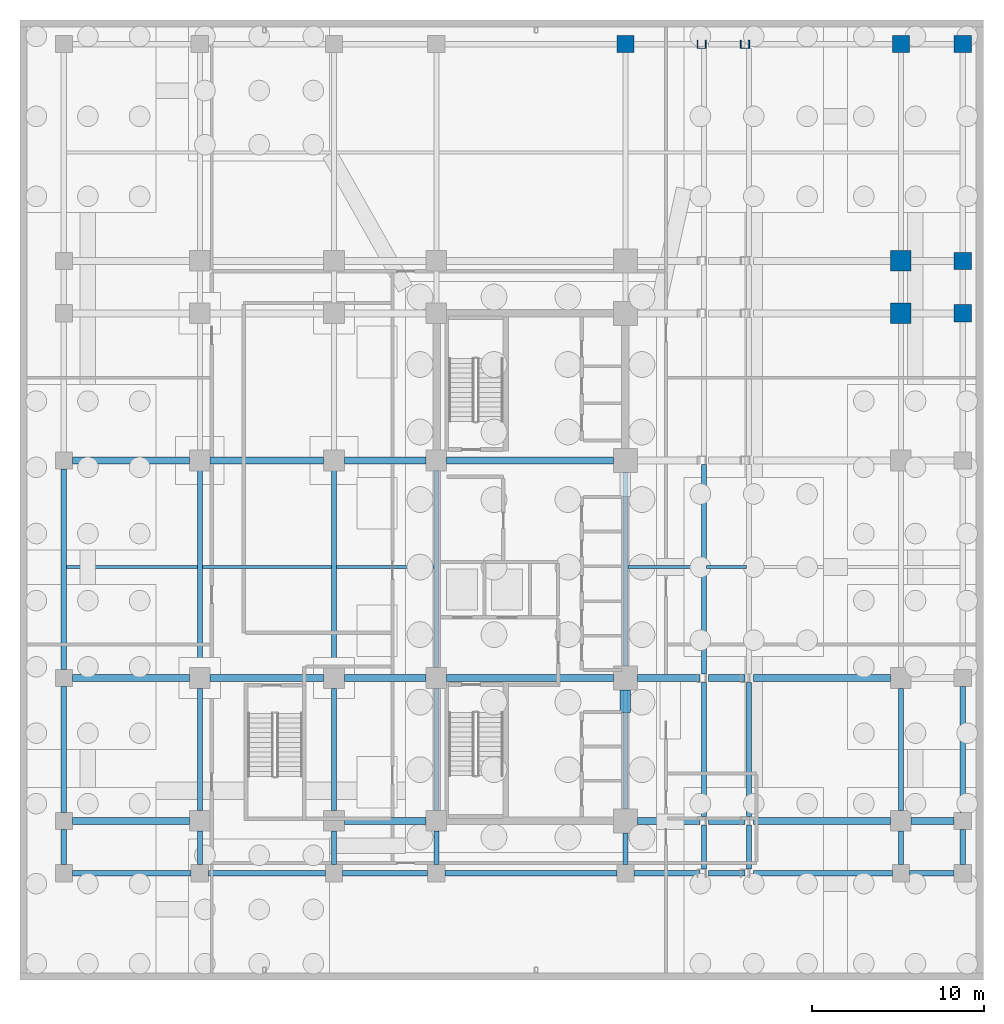
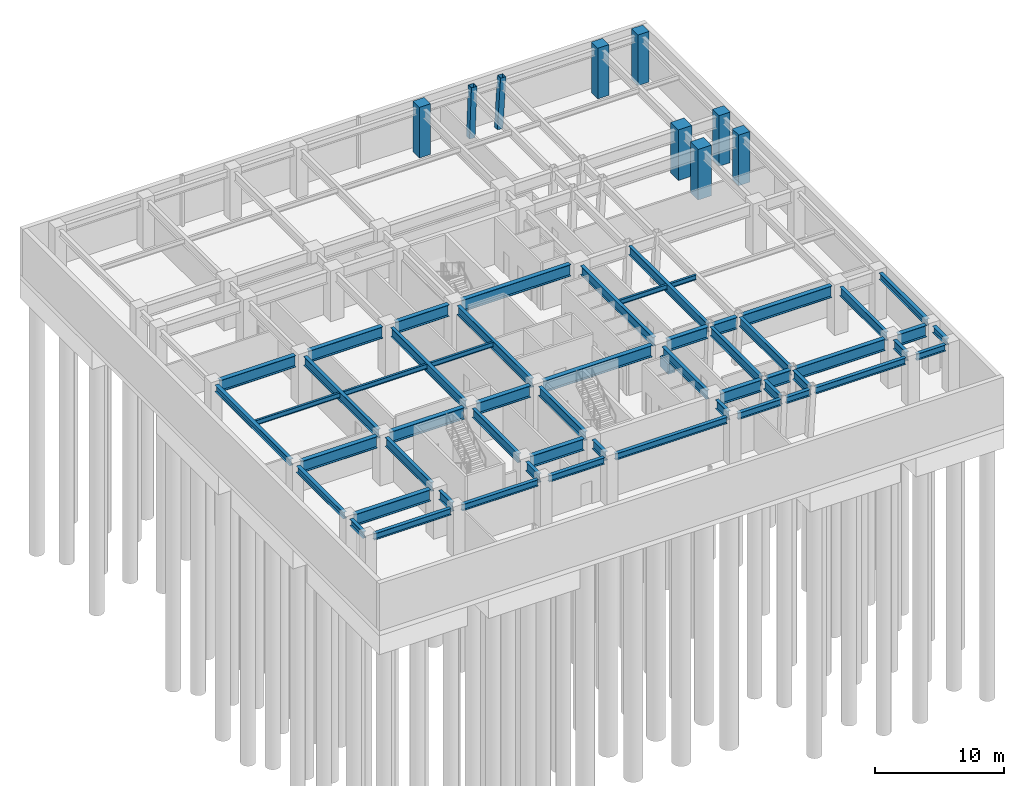
# One storey, part 7 of 13: 55 beams, 9 columns.
"""IFC4 building model written with IfcOpenShell, lengths in metres."""

from ifc_helpers import new_model, si_unit, direction, frame, origin, origin_2d, place, context, subcontext, project, spatial, rectangle, hollow_rectangle, i_section, extrude, material, material_profile, profile_set, type_object, element, save


model = new_model("IFC4")

# Units and contexts
model_context = context("Model", 3, precision=1e-05, world=origin(), true_north=direction((0.0, 1.0)))
body_context = subcontext(model_context, "Body", "Model", "MODEL_VIEW")
ifc_project = project(units=[si_unit("LENGTHUNIT", "METRE"), si_unit("AREAUNIT", "SQUARE_METRE"), si_unit("VOLUMEUNIT", "CUBIC_METRE"), si_unit("PLANEANGLEUNIT", "RADIAN"), si_unit("MASSUNIT", "GRAM", prefix="KILO")], contexts=[model_context])

# Site, building, storey
site_placement = place(None, origin())
site = spatial("IfcSite", under=ifc_project, at=site_placement, CompositionType="ELEMENT")
building_placement = place(site_placement, origin())
building = spatial("IfcBuilding", under=site, at=building_placement, Name="Ochreholt Gables", CompositionType="ELEMENT")
storey_placement = place(building_placement, frame((0.0, 0.0, -9.60009765625)))
storey = spatial("IfcBuildingStorey", under=building, at=storey_placement, Name="B2", CompositionType="ELEMENT", Elevation=-9.60009765625)

# Columns
ifc_material_1 = material(Name="Steel CSA G40.21 350W", Category="steel")
ifc_material_profile_1 = material_profile(ifc_material_1, hollow_rectangle(XDim=0.5, YDim=0.5, WallThickness=0.02197265625, at=origin_2d()), Name="HSS500X500X22")
ifc_profile_set_1 = profile_set([ifc_material_profile_1], Name="Steel CSA G40.21 350W")
column_type_1 = type_object("IfcColumnType", Name="COL-HSS500-RAKE", PredefinedType="COLUMN", material=ifc_profile_set_1)
column_1_placement = place(storey_placement, frame((39.60009765625, 54.39990234375, 0.0), z_axis=(0.034971728386, 0.0, 0.99938830202), x_axis=(0.0, 1.0, 0.0)))
element("IfcColumn", 1, at=column_1_placement, inside=storey, type_object=column_type_1, Name="B2 Column EMY7", PredefinedType="COLUMN", context=body_context, shape_type="SweptSolid", body=[
    extrude(hollow_rectangle(XDim=0.5, YDim=0.5, WallThickness=0.02197265625, at=origin_2d()), origin(), (0.0, 0.0, 1.0), 4.802978515625),
])
column_2_placement = place(storey_placement, frame((42.10009765625, 54.39990234375, 0.0), z_axis=(0.057885584411, 0.0, 0.998323223769), x_axis=(0.0, 1.0, 0.0)))
element("IfcColumn", 2, at=column_2_placement, inside=storey, type_object=column_type_1, Name="B2 Column EEY7", PredefinedType="COLUMN", context=body_context, shape_type="SweptSolid", body=[
    extrude(hollow_rectangle(XDim=0.5, YDim=0.5, WallThickness=0.02197265625, at=origin_2d()), origin(), (0.0, 0.0, 1.0), 4.80810546875),
])
ifc_material_2 = material(Name="Concrete 60 MPa", Category="concrete")
ifc_material_profile_2 = material_profile(ifc_material_2, rectangle(XDim=1.0, YDim=1.0, at=origin_2d()), Name="RC1000X1000")
ifc_profile_set_2 = profile_set([ifc_material_profile_2], Name="Concrete 60 MPa")
column_type_2 = type_object("IfcColumnType", Name="COL-RC1000-EXT", PredefinedType="COLUMN", material=ifc_profile_set_2)
for number, where, z_axis, x_axis, name in (
    (3, (35.199951171875, 54.39990234375, 0.0), (0.0, 0.0, 1.0), (1.0, 0.0, 0.0), "B2 Column C2Y7"),
    (4, (51.199951171875, 54.39990234375, 0.0), (0.0, 0.0, 1.0), (1.0, 0.0, 0.0), "B2 Column E3Y7"),
    (5, (54.800048828125, 38.75, 0.0), (0.0, 0.0, 1.0), (1.0, 0.0, 0.0), "B2 Column E4Y5"),
    (6, (54.800048828125, 41.800048828125, 0.0), (0.0, 0.0, 1.0), (1.0, 0.0, 0.0), "B2 Column E4Y6"),
    (7, (54.800048828125, 54.39990234375, 0.0), (0.0, 0.0, 1.0), (1.0, 0.0, 0.0), "B2 Column E4Y7"),
):
    element("IfcColumn", number, at=place(storey_placement, frame(where, z_axis=z_axis, x_axis=x_axis)), inside=storey, type_object=column_type_2, Name=name, PredefinedType="COLUMN", context=body_context, shape_type="SweptSolid", body=[
        extrude(rectangle(XDim=1.0, YDim=1.0, at=origin_2d()), origin(), (0.0, 0.0, 1.0), 4.800048828125),
    ])
ifc_material_profile_3 = material_profile(ifc_material_2, rectangle(XDim=1.199951171875, YDim=1.199951171875, at=origin_2d()), Name="RC1200X1200")
ifc_profile_set_3 = profile_set([ifc_material_profile_3], Name="Concrete 60 MPa")
column_type_3 = type_object("IfcColumnType", Name="COL-RC1200-BASE", PredefinedType="COLUMN", material=ifc_profile_set_3)
for number, where, z_axis, x_axis, name in (
    (8, (51.199951171875, 38.75, 0.0), (0.0, 0.0, 1.0), (1.0, 0.0, 0.0), "B2 Column E3Y5"),
    (9, (51.199951171875, 41.800048828125, 0.0), (0.0, 0.0, 1.0), (1.0, 0.0, 0.0), "B2 Column E3Y6"),
):
    element("IfcColumn", number, at=place(storey_placement, frame(where, z_axis=z_axis, x_axis=x_axis)), inside=storey, type_object=column_type_3, Name=name, PredefinedType="COLUMN", context=body_context, shape_type="SweptSolid", body=[
        extrude(rectangle(XDim=1.199951171875, YDim=1.199951171875, at=origin_2d()), origin(), (0.0, 0.0, 1.0), 4.800048828125),
    ])

# Beams
ifc_material_profile_4 = material_profile(ifc_material_2, rectangle(XDim=0.60009765625, YDim=0.949951171875, at=origin_2d()), Name="RCB600X950")
ifc_profile_set_4 = profile_set([ifc_material_profile_4], Name="Concrete 60 MPa")
beam_type_1 = type_object("IfcBeamType", Name="BM-CPL-RC600", PredefinedType="LINTEL", material=ifc_profile_set_4)
beam_1_placement = place(storey_placement, frame((35.175048828125, 15.550048828125, 3.154052734375), z_axis=(0.0, 1.0, 0.0), x_axis=(-1.0, 0.0, 0.0)))
element("IfcBeam", 10, at=beam_1_placement, inside=storey, type_object=beam_type_1, Name="B2 Core Coupling Lintel CPS", PredefinedType="LINTEL", context=body_context, shape_type="SweptSolid", body=[
    extrude(rectangle(XDim=0.60009765625, YDim=0.949951171875, at=origin_2d()), origin(), (0.0, 0.0, 1.0), 1.300048828125),
])
ifc_material_profile_5 = material_profile(ifc_material_1, i_section(OverallWidth=0.39990234375, OverallDepth=1.10009765625, WebThickness=0.02001953125, FlangeThickness=0.035888671875, at=origin_2d()), Name="W1100X390")
ifc_profile_set_5 = profile_set([ifc_material_profile_5], Name="Steel CSA G40.21 350W")
beam_type_2 = type_object("IfcBeamType", Name="BM-G-W1100", PredefinedType="BEAM", material=ifc_profile_set_5)
beam_2_placement = place(storey_placement, frame((3.049560546875, 9.25, 3.93017578125), z_axis=(1.0, 0.0, 0.0), x_axis=(0.0, 1.0, 0.0)))
element("IfcBeam", 11, at=beam_2_placement, inside=storey, type_object=beam_type_2, Name="B2 Beam BG-B2-W1W2-Y2", PredefinedType="BEAM", context=body_context, shape_type="SweptSolid", body=[
    extrude(i_section(OverallWidth=0.39990234375, OverallDepth=1.10009765625, WebThickness=0.02001953125, FlangeThickness=0.035888671875, at=origin_2d()), origin(), (0.0, 0.0, 1.0), 6.80078125),
])
beam_3_placement = place(storey_placement, frame((18.849609375, 9.25, 3.93017578125), z_axis=(1.0, 0.0, 0.0), x_axis=(0.0, 1.0, 0.0)))
element("IfcBeam", 12, at=beam_3_placement, inside=storey, type_object=beam_type_2, Name="B2 Beam BG-B2-W3C1-Y2", PredefinedType="BEAM", context=body_context, shape_type="SweptSolid", body=[
    extrude(i_section(OverallWidth=0.39990234375, OverallDepth=1.10009765625, WebThickness=0.02001953125, FlangeThickness=0.035888671875, at=origin_2d()), origin(), (0.0, 0.0, 1.0), 4.750732421875),
])
beam_4_placement = place(storey_placement, frame((35.899658203125, 9.25, 3.93017578125), z_axis=(1.0, 0.0, 0.0), x_axis=(0.0, 1.0, 0.0)))
element("IfcBeam", 13, at=beam_4_placement, inside=storey, type_object=beam_type_2, Name="B2 Beam BG-B2-C2EM-Y2", PredefinedType="BEAM", context=body_context, shape_type="SweptSolid", body=[
    extrude(i_section(OverallWidth=0.39990234375, OverallDepth=1.10009765625, WebThickness=0.02001953125, FlangeThickness=0.035888671875, at=origin_2d()), origin(), (0.0, 0.0, 1.0), 3.61865234375),
])
beam_5_placement = place(storey_placement, frame((40.017578125, 9.25, 3.93017578125), z_axis=(1.0, 0.0, 0.0), x_axis=(0.0, 1.0, 0.0)))
element("IfcBeam", 14, at=beam_5_placement, inside=storey, type_object=beam_type_2, Name="B2 Beam BG-B2-EMEE-Y2", PredefinedType="BEAM", context=body_context, shape_type="SweptSolid", body=[
    extrude(i_section(OverallWidth=0.39990234375, OverallDepth=1.10009765625, WebThickness=0.02001953125, FlangeThickness=0.035888671875, at=origin_2d()), origin(), (0.0, 0.0, 1.0), 2.111328125),
])
beam_6_placement = place(storey_placement, frame((42.6279296875, 9.25, 3.93017578125), z_axis=(1.0, 0.0, 0.0), x_axis=(0.0, 1.0, 0.0)))
element("IfcBeam", 15, at=beam_6_placement, inside=storey, type_object=beam_type_2, Name="B2 Beam BG-B2-EEE3-Y2", PredefinedType="BEAM", context=body_context, shape_type="SweptSolid", body=[
    extrude(i_section(OverallWidth=0.39990234375, OverallDepth=1.10009765625, WebThickness=0.02001953125, FlangeThickness=0.035888671875, at=origin_2d()), origin(), (0.0, 0.0, 1.0), 7.972412109375),
])
beam_7_placement = place(storey_placement, frame((51.799560546875, 9.25, 3.93017578125), z_axis=(1.0, 0.0, 0.0), x_axis=(0.0, 1.0, 0.0)))
element("IfcBeam", 16, at=beam_7_placement, inside=storey, type_object=beam_type_2, Name="B2 Beam BG-B2-E3E4-Y2", PredefinedType="BEAM", context=body_context, shape_type="SweptSolid", body=[
    extrude(i_section(OverallWidth=0.39990234375, OverallDepth=1.10009765625, WebThickness=0.02001953125, FlangeThickness=0.035888671875, at=origin_2d()), origin(), (0.0, 0.0, 1.0), 2.500732421875),
])
beam_8_placement = place(storey_placement, frame((3.049560546875, 17.550048828125, 3.93017578125), z_axis=(1.0, 0.0, 0.0), x_axis=(0.0, 1.0, 0.0)))
element("IfcBeam", 17, at=beam_8_placement, inside=storey, type_object=beam_type_2, Name="B2 Beam BG-B2-W1W2-Y3", PredefinedType="BEAM", context=body_context, shape_type="SweptSolid", body=[
    extrude(i_section(OverallWidth=0.39990234375, OverallDepth=1.10009765625, WebThickness=0.02001953125, FlangeThickness=0.035888671875, at=origin_2d()), origin(), (0.0, 0.0, 1.0), 6.80078125),
])
beam_9_placement = place(storey_placement, frame((11.049560546875, 17.550048828125, 3.93017578125), z_axis=(1.0, 0.0, 0.0), x_axis=(0.0, 1.0, 0.0)))
element("IfcBeam", 18, at=beam_9_placement, inside=storey, type_object=beam_type_2, Name="B2 Beam BG-B2-W2W3-Y3", PredefinedType="BEAM", context=body_context, shape_type="SweptSolid", body=[
    extrude(i_section(OverallWidth=0.39990234375, OverallDepth=1.10009765625, WebThickness=0.02001953125, FlangeThickness=0.035888671875, at=origin_2d()), origin(), (0.0, 0.0, 1.0), 6.600830078125),
])
beam_10_placement = place(storey_placement, frame((18.849609375, 17.550048828125, 3.93017578125), z_axis=(1.0, 0.0, 0.0), x_axis=(0.0, 1.0, 0.0)))
element("IfcBeam", 19, at=beam_10_placement, inside=storey, type_object=beam_type_2, Name="B2 Beam BG-B2-W3C1-Y3", PredefinedType="BEAM", context=body_context, shape_type="SweptSolid", body=[
    extrude(i_section(OverallWidth=0.39990234375, OverallDepth=1.10009765625, WebThickness=0.02001953125, FlangeThickness=0.035888671875, at=origin_2d()), origin(), (0.0, 0.0, 1.0), 4.750732421875),
])
beam_11_placement = place(storey_placement, frame((24.799560546875, 17.550048828125, 3.93017578125), z_axis=(1.0, 0.0, 0.0), x_axis=(0.0, 1.0, 0.0)))
element("IfcBeam", 20, at=beam_11_placement, inside=storey, type_object=beam_type_2, Name="B2 Beam BG-B2-C1C2-Y3", PredefinedType="BEAM", context=body_context, shape_type="SweptSolid", body=[
    extrude(i_section(OverallWidth=0.39990234375, OverallDepth=1.10009765625, WebThickness=0.02001953125, FlangeThickness=0.035888671875, at=origin_2d()), origin(), (0.0, 0.0, 1.0), 9.700927734375),
])
beam_12_placement = place(storey_placement, frame((35.899658203125, 17.550048828125, 3.93017578125), z_axis=(1.0, 0.0, 0.0), x_axis=(0.0, 1.0, 0.0)))
element("IfcBeam", 21, at=beam_12_placement, inside=storey, type_object=beam_type_2, Name="B2 Beam BG-B2-C2EM-Y3", PredefinedType="BEAM", context=body_context, shape_type="SweptSolid", body=[
    extrude(i_section(OverallWidth=0.39990234375, OverallDepth=1.10009765625, WebThickness=0.02001953125, FlangeThickness=0.035888671875, at=origin_2d()), origin(), (0.0, 0.0, 1.0), 3.61865234375),
])
beam_13_placement = place(storey_placement, frame((40.017578125, 17.550048828125, 3.93017578125), z_axis=(1.0, 0.0, 0.0), x_axis=(0.0, 1.0, 0.0)))
element("IfcBeam", 22, at=beam_13_placement, inside=storey, type_object=beam_type_2, Name="B2 Beam BG-B2-EMEE-Y3", PredefinedType="BEAM", context=body_context, shape_type="SweptSolid", body=[
    extrude(i_section(OverallWidth=0.39990234375, OverallDepth=1.10009765625, WebThickness=0.02001953125, FlangeThickness=0.035888671875, at=origin_2d()), origin(), (0.0, 0.0, 1.0), 2.111328125),
])
beam_14_placement = place(storey_placement, frame((42.6279296875, 17.550048828125, 3.93017578125), z_axis=(1.0, 0.0, 0.0), x_axis=(0.0, 1.0, 0.0)))
element("IfcBeam", 23, at=beam_14_placement, inside=storey, type_object=beam_type_2, Name="B2 Beam BG-B2-EEE3-Y3", PredefinedType="BEAM", context=body_context, shape_type="SweptSolid", body=[
    extrude(i_section(OverallWidth=0.39990234375, OverallDepth=1.10009765625, WebThickness=0.02001953125, FlangeThickness=0.035888671875, at=origin_2d()), origin(), (0.0, 0.0, 1.0), 7.972412109375),
])
beam_15_placement = place(storey_placement, frame((3.049560546875, 30.199951171875, 3.93017578125), z_axis=(1.0, 0.0, 0.0), x_axis=(0.0, 1.0, 0.0)))
element("IfcBeam", 24, at=beam_15_placement, inside=storey, type_object=beam_type_2, Name="B2 Beam BG-B2-W1W2-Y4", PredefinedType="BEAM", context=body_context, shape_type="SweptSolid", body=[
    extrude(i_section(OverallWidth=0.39990234375, OverallDepth=1.10009765625, WebThickness=0.02001953125, FlangeThickness=0.035888671875, at=origin_2d()), origin(), (0.0, 0.0, 1.0), 6.80078125),
])
beam_16_placement = place(storey_placement, frame((11.049560546875, 30.199951171875, 3.93017578125), z_axis=(1.0, 0.0, 0.0), x_axis=(0.0, 1.0, 0.0)))
element("IfcBeam", 25, at=beam_16_placement, inside=storey, type_object=beam_type_2, Name="B2 Beam BG-B2-W2W3-Y4", PredefinedType="BEAM", context=body_context, shape_type="SweptSolid", body=[
    extrude(i_section(OverallWidth=0.39990234375, OverallDepth=1.10009765625, WebThickness=0.02001953125, FlangeThickness=0.035888671875, at=origin_2d()), origin(), (0.0, 0.0, 1.0), 6.600830078125),
])
beam_17_placement = place(storey_placement, frame((18.849609375, 30.199951171875, 3.93017578125), z_axis=(1.0, 0.0, 0.0), x_axis=(0.0, 1.0, 0.0)))
element("IfcBeam", 26, at=beam_17_placement, inside=storey, type_object=beam_type_2, Name="B2 Beam BG-B2-W3C1-Y4", PredefinedType="BEAM", context=body_context, shape_type="SweptSolid", body=[
    extrude(i_section(OverallWidth=0.39990234375, OverallDepth=1.10009765625, WebThickness=0.02001953125, FlangeThickness=0.035888671875, at=origin_2d()), origin(), (0.0, 0.0, 1.0), 4.750732421875),
])
beam_18_placement = place(storey_placement, frame((24.799560546875, 30.199951171875, 3.93017578125), z_axis=(1.0, 0.0, 0.0), x_axis=(0.0, 1.0, 0.0)))
element("IfcBeam", 27, at=beam_18_placement, inside=storey, type_object=beam_type_2, Name="B2 Beam BG-B2-C1C2-Y4", PredefinedType="BEAM", context=body_context, shape_type="SweptSolid", body=[
    extrude(i_section(OverallWidth=0.39990234375, OverallDepth=1.10009765625, WebThickness=0.02001953125, FlangeThickness=0.035888671875, at=origin_2d()), origin(), (0.0, 0.0, 1.0), 9.700927734375),
])
ifc_material_profile_6 = material_profile(ifc_material_1, i_section(OverallWidth=0.2939453125, OverallDepth=0.85107421875, WebThickness=0.01611328125, FlangeThickness=0.02685546875, at=origin_2d()), Name="W840X226")
ifc_profile_set_6 = profile_set([ifc_material_profile_6], Name="Steel CSA G40.21 350W")
beam_type_3 = type_object("IfcBeamType", Name="BM-G-W840", PredefinedType="BEAM", material=ifc_profile_set_6)
beam_19_placement = place(storey_placement, frame((10.449951171875, 6.69970703125, 4.0546875), z_axis=(0.0, 1.0, 0.0), x_axis=(-1.0, 0.0, 0.0)))
element("IfcBeam", 28, at=beam_19_placement, inside=storey, type_object=beam_type_3, Name="B2 Beam BG-B2-W2-Y1Y2", PredefinedType="BEAM", context=body_context, shape_type="SweptSolid", body=[
    extrude(i_section(OverallWidth=0.2939453125, OverallDepth=0.85107421875, WebThickness=0.01611328125, FlangeThickness=0.02685546875, at=origin_2d()), origin(), (0.0, 0.0, 1.0), 1.95068359375),
])
beam_20_placement = place(storey_placement, frame((10.449951171875, 9.849609375, 4.0546875), z_axis=(0.0, 1.0, 0.0), x_axis=(-1.0, 0.0, 0.0)))
element("IfcBeam", 29, at=beam_20_placement, inside=storey, type_object=beam_type_3, Name="B2 Beam BG-B2-W2-Y2Y3", PredefinedType="BEAM", context=body_context, shape_type="SweptSolid", body=[
    extrude(i_section(OverallWidth=0.2939453125, OverallDepth=0.85107421875, WebThickness=0.01611328125, FlangeThickness=0.02685546875, at=origin_2d()), origin(), (0.0, 0.0, 1.0), 7.100830078125),
])
beam_21_placement = place(storey_placement, frame((10.449951171875, 18.149658203125, 4.0546875), z_axis=(0.0, 1.0, 0.0), x_axis=(-1.0, 0.0, 0.0)))
element("IfcBeam", 30, at=beam_21_placement, inside=storey, type_object=beam_type_3, Name="B2 Beam BG-B2-W2-Y3Y4", PredefinedType="BEAM", context=body_context, shape_type="SweptSolid", body=[
    extrude(i_section(OverallWidth=0.2939453125, OverallDepth=0.85107421875, WebThickness=0.01611328125, FlangeThickness=0.02685546875, at=origin_2d()), origin(), (0.0, 0.0, 1.0), 11.45068359375),
])
beam_22_placement = place(storey_placement, frame((18.25, 6.69970703125, 4.0546875), z_axis=(0.0, 1.0, 0.0), x_axis=(-1.0, 0.0, 0.0)))
element("IfcBeam", 31, at=beam_22_placement, inside=storey, type_object=beam_type_3, Name="B2 Beam BG-B2-W3-Y1Y2", PredefinedType="BEAM", context=body_context, shape_type="SweptSolid", body=[
    extrude(i_section(OverallWidth=0.2939453125, OverallDepth=0.85107421875, WebThickness=0.01611328125, FlangeThickness=0.02685546875, at=origin_2d()), origin(), (0.0, 0.0, 1.0), 1.95068359375),
])
beam_23_placement = place(storey_placement, frame((18.25, 9.849609375, 4.0546875), z_axis=(0.0, 1.0, 0.0), x_axis=(-1.0, 0.0, 0.0)))
element("IfcBeam", 32, at=beam_23_placement, inside=storey, type_object=beam_type_3, Name="B2 Beam BG-B2-W3-Y2Y3", PredefinedType="BEAM", context=body_context, shape_type="SweptSolid", body=[
    extrude(i_section(OverallWidth=0.2939453125, OverallDepth=0.85107421875, WebThickness=0.01611328125, FlangeThickness=0.02685546875, at=origin_2d()), origin(), (0.0, 0.0, 1.0), 7.100830078125),
])
beam_24_placement = place(storey_placement, frame((18.25, 18.149658203125, 4.0546875), z_axis=(0.0, 1.0, 0.0), x_axis=(-1.0, 0.0, 0.0)))
element("IfcBeam", 33, at=beam_24_placement, inside=storey, type_object=beam_type_3, Name="B2 Beam BG-B2-W3-Y3Y4", PredefinedType="BEAM", context=body_context, shape_type="SweptSolid", body=[
    extrude(i_section(OverallWidth=0.2939453125, OverallDepth=0.85107421875, WebThickness=0.01611328125, FlangeThickness=0.02685546875, at=origin_2d()), origin(), (0.0, 0.0, 1.0), 11.45068359375),
])
beam_25_placement = place(storey_placement, frame((24.199951171875, 6.69970703125, 4.0546875), z_axis=(0.0, 1.0, 0.0), x_axis=(-1.0, 0.0, 0.0)))
element("IfcBeam", 34, at=beam_25_placement, inside=storey, type_object=beam_type_3, Name="B2 Beam BG-B2-C1-Y1Y2", PredefinedType="BEAM", context=body_context, shape_type="SweptSolid", body=[
    extrude(i_section(OverallWidth=0.2939453125, OverallDepth=0.85107421875, WebThickness=0.01611328125, FlangeThickness=0.02685546875, at=origin_2d()), origin(), (0.0, 0.0, 1.0), 1.95068359375),
])
beam_26_placement = place(storey_placement, frame((24.199951171875, 9.849609375, 4.0546875), z_axis=(0.0, 1.0, 0.0), x_axis=(-1.0, 0.0, 0.0)))
element("IfcBeam", 35, at=beam_26_placement, inside=storey, type_object=beam_type_3, Name="B2 Beam BG-B2-C1-Y2Y3", PredefinedType="BEAM", context=body_context, shape_type="SweptSolid", body=[
    extrude(i_section(OverallWidth=0.2939453125, OverallDepth=0.85107421875, WebThickness=0.01611328125, FlangeThickness=0.02685546875, at=origin_2d()), origin(), (0.0, 0.0, 1.0), 7.100830078125),
])
beam_27_placement = place(storey_placement, frame((24.199951171875, 18.149658203125, 4.0546875), z_axis=(0.0, 1.0, 0.0), x_axis=(-1.0, 0.0, 0.0)))
element("IfcBeam", 36, at=beam_27_placement, inside=storey, type_object=beam_type_3, Name="B2 Beam BG-B2-C1-Y3Y4", PredefinedType="BEAM", context=body_context, shape_type="SweptSolid", body=[
    extrude(i_section(OverallWidth=0.2939453125, OverallDepth=0.85107421875, WebThickness=0.01611328125, FlangeThickness=0.02685546875, at=origin_2d()), origin(), (0.0, 0.0, 1.0), 11.45068359375),
])
beam_28_placement = place(storey_placement, frame((35.199951171875, 6.69970703125, 4.0546875), z_axis=(0.0, 1.0, 0.0), x_axis=(-1.0, 0.0, 0.0)))
element("IfcBeam", 37, at=beam_28_placement, inside=storey, type_object=beam_type_3, Name="B2 Beam BG-B2-C2-Y1Y2", PredefinedType="BEAM", context=body_context, shape_type="SweptSolid", body=[
    extrude(i_section(OverallWidth=0.2939453125, OverallDepth=0.85107421875, WebThickness=0.01611328125, FlangeThickness=0.02685546875, at=origin_2d()), origin(), (0.0, 0.0, 1.0), 1.8505859375),
])
beam_29_placement = place(storey_placement, frame((35.199951171875, 9.94970703125, 4.0546875), z_axis=(0.0, 1.0, 0.0), x_axis=(-1.0, 0.0, 0.0)))
element("IfcBeam", 38, at=beam_29_placement, inside=storey, type_object=beam_type_3, Name="B2 Beam BG-B2-C2-Y2Y3", PredefinedType="BEAM", context=body_context, shape_type="SweptSolid", body=[
    extrude(i_section(OverallWidth=0.2939453125, OverallDepth=0.85107421875, WebThickness=0.01611328125, FlangeThickness=0.02685546875, at=origin_2d()), origin(), (0.0, 0.0, 1.0), 6.900634765625),
])
beam_30_placement = place(storey_placement, frame((35.199951171875, 18.24951171875, 4.0546875), z_axis=(0.0, 1.0, 0.0), x_axis=(-1.0, 0.0, 0.0)))
element("IfcBeam", 39, at=beam_30_placement, inside=storey, type_object=beam_type_3, Name="B2 Beam BG-B2-C2-Y3Y4", PredefinedType="BEAM", context=body_context, shape_type="SweptSolid", body=[
    extrude(i_section(OverallWidth=0.2939453125, OverallDepth=0.85107421875, WebThickness=0.01611328125, FlangeThickness=0.02685546875, at=origin_2d()), origin(), (0.0, 0.0, 1.0), 11.2509765625),
])
beam_31_placement = place(storey_placement, frame((39.76806640625, 6.44970703125, 4.0546875), z_axis=(0.0, 1.0, 0.0), x_axis=(-1.0, 0.0, 0.0)))
element("IfcBeam", 40, at=beam_31_placement, inside=storey, type_object=beam_type_3, Name="B2 Beam BG-B2-EM-Y1Y2", PredefinedType="BEAM", context=body_context, shape_type="SweptSolid", body=[
    extrude(i_section(OverallWidth=0.2939453125, OverallDepth=0.85107421875, WebThickness=0.01611328125, FlangeThickness=0.02685546875, at=origin_2d()), origin(), (0.0, 0.0, 1.0), 2.55078125),
])
beam_32_placement = place(storey_placement, frame((39.76806640625, 9.49951171875, 4.0546875), z_axis=(0.0, 1.0, 0.0), x_axis=(-1.0, 0.0, 0.0)))
element("IfcBeam", 41, at=beam_32_placement, inside=storey, type_object=beam_type_3, Name="B2 Beam BG-B2-EM-Y2Y3", PredefinedType="BEAM", context=body_context, shape_type="SweptSolid", body=[
    extrude(i_section(OverallWidth=0.2939453125, OverallDepth=0.85107421875, WebThickness=0.01611328125, FlangeThickness=0.02685546875, at=origin_2d()), origin(), (0.0, 0.0, 1.0), 7.80078125),
])
beam_33_placement = place(storey_placement, frame((39.76806640625, 17.799560546875, 4.0546875), z_axis=(0.0, 1.0, 0.0), x_axis=(-1.0, 0.0, 0.0)))
element("IfcBeam", 42, at=beam_33_placement, inside=storey, type_object=beam_type_3, Name="B2 Beam BG-B2-EM-Y3Y4", PredefinedType="BEAM", context=body_context, shape_type="SweptSolid", body=[
    extrude(i_section(OverallWidth=0.2939453125, OverallDepth=0.85107421875, WebThickness=0.01611328125, FlangeThickness=0.02685546875, at=origin_2d()), origin(), (0.0, 0.0, 1.0), 12.15087890625),
])
beam_34_placement = place(storey_placement, frame((42.37841796875, 6.44970703125, 4.0546875), z_axis=(0.0, 1.0, 0.0), x_axis=(-1.0, 0.0, 0.0)))
element("IfcBeam", 43, at=beam_34_placement, inside=storey, type_object=beam_type_3, Name="B2 Beam BG-B2-EE-Y1Y2", PredefinedType="BEAM", context=body_context, shape_type="SweptSolid", body=[
    extrude(i_section(OverallWidth=0.2939453125, OverallDepth=0.85107421875, WebThickness=0.01611328125, FlangeThickness=0.02685546875, at=origin_2d()), origin(), (0.0, 0.0, 1.0), 2.55078125),
])
beam_35_placement = place(storey_placement, frame((42.37841796875, 9.49951171875, 4.0546875), z_axis=(0.0, 1.0, 0.0), x_axis=(-1.0, 0.0, 0.0)))
element("IfcBeam", 44, at=beam_35_placement, inside=storey, type_object=beam_type_3, Name="B2 Beam BG-B2-EE-Y2Y3", PredefinedType="BEAM", context=body_context, shape_type="SweptSolid", body=[
    extrude(i_section(OverallWidth=0.2939453125, OverallDepth=0.85107421875, WebThickness=0.01611328125, FlangeThickness=0.02685546875, at=origin_2d()), origin(), (0.0, 0.0, 1.0), 7.80078125),
])
beam_36_placement = place(storey_placement, frame((51.199951171875, 6.69970703125, 4.0546875), z_axis=(0.0, 1.0, 0.0), x_axis=(-1.0, 0.0, 0.0)))
element("IfcBeam", 45, at=beam_36_placement, inside=storey, type_object=beam_type_3, Name="B2 Beam BG-B2-E3-Y1Y2", PredefinedType="BEAM", context=body_context, shape_type="SweptSolid", body=[
    extrude(i_section(OverallWidth=0.2939453125, OverallDepth=0.85107421875, WebThickness=0.01611328125, FlangeThickness=0.02685546875, at=origin_2d()), origin(), (0.0, 0.0, 1.0), 1.95068359375),
])
beam_37_placement = place(storey_placement, frame((51.199951171875, 9.849609375, 4.0546875), z_axis=(0.0, 1.0, 0.0), x_axis=(-1.0, 0.0, 0.0)))
element("IfcBeam", 46, at=beam_37_placement, inside=storey, type_object=beam_type_3, Name="B2 Beam BG-B2-E3-Y2Y3", PredefinedType="BEAM", context=body_context, shape_type="SweptSolid", body=[
    extrude(i_section(OverallWidth=0.2939453125, OverallDepth=0.85107421875, WebThickness=0.01611328125, FlangeThickness=0.02685546875, at=origin_2d()), origin(), (0.0, 0.0, 1.0), 7.100830078125),
])
ifc_material_profile_7 = material_profile(ifc_material_1, i_section(OverallWidth=0.18994140625, OverallDepth=0.45703125, WebThickness=0.009033203125, FlangeThickness=0.014404296875, at=origin_2d()), Name="W460X74")
ifc_profile_set_7 = profile_set([ifc_material_profile_7], Name="Steel CSA G40.21 350W")
beam_type_4 = type_object("IfcBeamType", Name="BM-J-W460B", PredefinedType="JOIST", material=ifc_profile_set_7)
beam_38_placement = place(storey_placement, frame((2.711669921875, 24.0, 4.251708984375), z_axis=(1.0, 0.0, 0.0), x_axis=(0.0, 1.0, 0.0)))
element("IfcBeam", 47, at=beam_38_placement, inside=storey, type_object=beam_type_4, Name="B2 Beam BJ-B2-J1-W1W2", PredefinedType="JOIST", context=body_context, shape_type="SweptSolid", body=[
    extrude(i_section(OverallWidth=0.18994140625, OverallDepth=0.45703125, WebThickness=0.009033203125, FlangeThickness=0.014404296875, at=origin_2d()), origin(), (0.0, 0.0, 1.0), 7.591796875),
])
beam_39_placement = place(storey_placement, frame((10.5966796875, 24.0, 4.251708984375), z_axis=(1.0, 0.0, 0.0), x_axis=(0.0, 1.0, 0.0)))
element("IfcBeam", 48, at=beam_39_placement, inside=storey, type_object=beam_type_4, Name="B2 Beam BJ-B2-J1-W2W3", PredefinedType="JOIST", context=body_context, shape_type="SweptSolid", body=[
    extrude(i_section(OverallWidth=0.18994140625, OverallDepth=0.45703125, WebThickness=0.009033203125, FlangeThickness=0.014404296875, at=origin_2d()), origin(), (0.0, 0.0, 1.0), 7.5068359375),
])
beam_40_placement = place(storey_placement, frame((18.396484375, 24.0, 4.251708984375), z_axis=(1.0, 0.0, 0.0), x_axis=(0.0, 1.0, 0.0)))
element("IfcBeam", 49, at=beam_40_placement, inside=storey, type_object=beam_type_4, Name="B2 Beam BJ-B2-J1-W3C1", PredefinedType="JOIST", context=body_context, shape_type="SweptSolid", body=[
    extrude(i_section(OverallWidth=0.18994140625, OverallDepth=0.45703125, WebThickness=0.009033203125, FlangeThickness=0.014404296875, at=origin_2d()), origin(), (0.0, 0.0, 1.0), 5.656982421875),
])
beam_41_placement = place(storey_placement, frame((35.3466796875, 24.0, 4.251708984375), z_axis=(1.0, 0.0, 0.0), x_axis=(0.0, 1.0, 0.0)))
element("IfcBeam", 50, at=beam_41_placement, inside=storey, type_object=beam_type_4, Name="B2 Beam BJ-B2-J1-C2EM", PredefinedType="JOIST", context=body_context, shape_type="SweptSolid", body=[
    extrude(i_section(OverallWidth=0.18994140625, OverallDepth=0.45703125, WebThickness=0.009033203125, FlangeThickness=0.014404296875, at=origin_2d()), origin(), (0.0, 0.0, 1.0), 4.274658203125),
])
beam_42_placement = place(storey_placement, frame((39.91455078125, 24.0, 4.251708984375), z_axis=(1.0, 0.0, 0.0), x_axis=(0.0, 1.0, 0.0)))
element("IfcBeam", 51, at=beam_42_placement, inside=storey, type_object=beam_type_4, Name="B2 Beam BJ-B2-J1-EMEE", PredefinedType="JOIST", context=body_context, shape_type="SweptSolid", body=[
    extrude(i_section(OverallWidth=0.18994140625, OverallDepth=0.45703125, WebThickness=0.009033203125, FlangeThickness=0.014404296875, at=origin_2d()), origin(), (0.0, 0.0, 1.0), 2.317138671875),
])
ifc_material_profile_8 = material_profile(ifc_material_1, i_section(OverallWidth=0.323974609375, OverallDepth=0.611083984375, WebThickness=0.0126953125, FlangeThickness=0.01904296875, at=origin_2d()), Name="W610X155")
ifc_profile_set_8 = profile_set([ifc_material_profile_8], Name="Steel CSA G40.21 350W")
beam_type_5 = type_object("IfcBeamType", Name="BM-SP-W610", PredefinedType="SPANDREL", material=ifc_profile_set_8)
beam_43_placement = place(storey_placement, frame((3.049560546875, 6.199951171875, 4.174560546875), z_axis=(1.0, 0.0, 0.0), x_axis=(0.0, 1.0, 0.0)))
element("IfcBeam", 52, at=beam_43_placement, inside=storey, type_object=beam_type_5, Name="B2 Beam BG-B2-W1W2-Y1", PredefinedType="SPANDREL", context=body_context, shape_type="SweptSolid", body=[
    extrude(i_section(OverallWidth=0.323974609375, OverallDepth=0.611083984375, WebThickness=0.0126953125, FlangeThickness=0.01904296875, at=origin_2d()), origin(), (0.0, 0.0, 1.0), 6.90087890625),
])
beam_44_placement = place(storey_placement, frame((10.94970703125, 6.199951171875, 4.174560546875), z_axis=(1.0, 0.0, 0.0), x_axis=(0.0, 1.0, 0.0)))
element("IfcBeam", 53, at=beam_44_placement, inside=storey, type_object=beam_type_5, Name="B2 Beam BG-B2-W2W3-Y1", PredefinedType="SPANDREL", context=body_context, shape_type="SweptSolid", body=[
    extrude(i_section(OverallWidth=0.323974609375, OverallDepth=0.611083984375, WebThickness=0.0126953125, FlangeThickness=0.01904296875, at=origin_2d()), origin(), (0.0, 0.0, 1.0), 6.80078125),
])
beam_45_placement = place(storey_placement, frame((18.74951171875, 6.199951171875, 4.174560546875), z_axis=(1.0, 0.0, 0.0), x_axis=(0.0, 1.0, 0.0)))
element("IfcBeam", 54, at=beam_45_placement, inside=storey, type_object=beam_type_5, Name="B2 Beam BG-B2-W3C1-Y1", PredefinedType="SPANDREL", context=body_context, shape_type="SweptSolid", body=[
    extrude(i_section(OverallWidth=0.323974609375, OverallDepth=0.611083984375, WebThickness=0.0126953125, FlangeThickness=0.01904296875, at=origin_2d()), origin(), (0.0, 0.0, 1.0), 4.950927734375),
])
beam_46_placement = place(storey_placement, frame((24.69970703125, 6.199951171875, 4.174560546875), z_axis=(1.0, 0.0, 0.0), x_axis=(0.0, 1.0, 0.0)))
element("IfcBeam", 55, at=beam_46_placement, inside=storey, type_object=beam_type_5, Name="B2 Beam BG-B2-C1C2-Y1", PredefinedType="SPANDREL", context=body_context, shape_type="SweptSolid", body=[
    extrude(i_section(OverallWidth=0.323974609375, OverallDepth=0.611083984375, WebThickness=0.0126953125, FlangeThickness=0.01904296875, at=origin_2d()), origin(), (0.0, 0.0, 1.0), 10.000732421875),
])
beam_47_placement = place(storey_placement, frame((35.69970703125, 6.199951171875, 4.174560546875), z_axis=(1.0, 0.0, 0.0), x_axis=(0.0, 1.0, 0.0)))
element("IfcBeam", 56, at=beam_47_placement, inside=storey, type_object=beam_type_5, Name="B2 Beam BG-B2-C2EM-Y1", PredefinedType="SPANDREL", context=body_context, shape_type="SweptSolid", body=[
    extrude(i_section(OverallWidth=0.323974609375, OverallDepth=0.611083984375, WebThickness=0.0126953125, FlangeThickness=0.01904296875, at=origin_2d()), origin(), (0.0, 0.0, 1.0), 3.818603515625),
])
beam_48_placement = place(storey_placement, frame((40.017578125, 6.199951171875, 4.174560546875), z_axis=(1.0, 0.0, 0.0), x_axis=(0.0, 1.0, 0.0)))
element("IfcBeam", 57, at=beam_48_placement, inside=storey, type_object=beam_type_5, Name="B2 Beam BG-B2-EMEE-Y1", PredefinedType="SPANDREL", context=body_context, shape_type="SweptSolid", body=[
    extrude(i_section(OverallWidth=0.323974609375, OverallDepth=0.611083984375, WebThickness=0.0126953125, FlangeThickness=0.01904296875, at=origin_2d()), origin(), (0.0, 0.0, 1.0), 2.111328125),
])
beam_49_placement = place(storey_placement, frame((42.6279296875, 6.199951171875, 4.174560546875), z_axis=(1.0, 0.0, 0.0), x_axis=(0.0, 1.0, 0.0)))
element("IfcBeam", 58, at=beam_49_placement, inside=storey, type_object=beam_type_5, Name="B2 Beam BG-B2-EEE3-Y1", PredefinedType="SPANDREL", context=body_context, shape_type="SweptSolid", body=[
    extrude(i_section(OverallWidth=0.323974609375, OverallDepth=0.611083984375, WebThickness=0.0126953125, FlangeThickness=0.01904296875, at=origin_2d()), origin(), (0.0, 0.0, 1.0), 8.072509765625),
])
beam_50_placement = place(storey_placement, frame((51.69970703125, 6.199951171875, 4.174560546875), z_axis=(1.0, 0.0, 0.0), x_axis=(0.0, 1.0, 0.0)))
element("IfcBeam", 59, at=beam_50_placement, inside=storey, type_object=beam_type_5, Name="B2 Beam BG-B2-E3E4-Y1", PredefinedType="SPANDREL", context=body_context, shape_type="SweptSolid", body=[
    extrude(i_section(OverallWidth=0.323974609375, OverallDepth=0.611083984375, WebThickness=0.0126953125, FlangeThickness=0.01904296875, at=origin_2d()), origin(), (0.0, 0.0, 1.0), 2.6005859375),
])
beam_51_placement = place(storey_placement, frame((2.550048828125, 6.69970703125, 4.174560546875), z_axis=(0.0, 1.0, 0.0), x_axis=(-1.0, 0.0, 0.0)))
element("IfcBeam", 60, at=beam_51_placement, inside=storey, type_object=beam_type_5, Name="B2 Beam BG-B2-W1-Y1Y2", PredefinedType="SPANDREL", context=body_context, shape_type="SweptSolid", body=[
    extrude(i_section(OverallWidth=0.323974609375, OverallDepth=0.611083984375, WebThickness=0.0126953125, FlangeThickness=0.01904296875, at=origin_2d()), origin(), (0.0, 0.0, 1.0), 2.05078125),
])
beam_52_placement = place(storey_placement, frame((2.550048828125, 9.74951171875, 4.174560546875), z_axis=(0.0, 1.0, 0.0), x_axis=(-1.0, 0.0, 0.0)))
element("IfcBeam", 61, at=beam_52_placement, inside=storey, type_object=beam_type_5, Name="B2 Beam BG-B2-W1-Y2Y3", PredefinedType="SPANDREL", context=body_context, shape_type="SweptSolid", body=[
    extrude(i_section(OverallWidth=0.323974609375, OverallDepth=0.611083984375, WebThickness=0.0126953125, FlangeThickness=0.01904296875, at=origin_2d()), origin(), (0.0, 0.0, 1.0), 7.30078125),
])
beam_53_placement = place(storey_placement, frame((2.550048828125, 18.049560546875, 4.174560546875), z_axis=(0.0, 1.0, 0.0), x_axis=(-1.0, 0.0, 0.0)))
element("IfcBeam", 62, at=beam_53_placement, inside=storey, type_object=beam_type_5, Name="B2 Beam BG-B2-W1-Y3Y4", PredefinedType="SPANDREL", context=body_context, shape_type="SweptSolid", body=[
    extrude(i_section(OverallWidth=0.323974609375, OverallDepth=0.611083984375, WebThickness=0.0126953125, FlangeThickness=0.01904296875, at=origin_2d()), origin(), (0.0, 0.0, 1.0), 11.65087890625),
])
beam_54_placement = place(storey_placement, frame((54.800048828125, 6.69970703125, 4.174560546875), z_axis=(0.0, 1.0, 0.0), x_axis=(-1.0, 0.0, 0.0)))
element("IfcBeam", 63, at=beam_54_placement, inside=storey, type_object=beam_type_5, Name="B2 Beam BG-B2-E4-Y1Y2", PredefinedType="SPANDREL", context=body_context, shape_type="SweptSolid", body=[
    extrude(i_section(OverallWidth=0.323974609375, OverallDepth=0.611083984375, WebThickness=0.0126953125, FlangeThickness=0.01904296875, at=origin_2d()), origin(), (0.0, 0.0, 1.0), 2.05078125),
])
beam_55_placement = place(storey_placement, frame((54.800048828125, 9.74951171875, 4.174560546875), z_axis=(0.0, 1.0, 0.0), x_axis=(-1.0, 0.0, 0.0)))
element("IfcBeam", 64, at=beam_55_placement, inside=storey, type_object=beam_type_5, Name="B2 Beam BG-B2-E4-Y2Y3", PredefinedType="SPANDREL", context=body_context, shape_type="SweptSolid", body=[
    extrude(i_section(OverallWidth=0.323974609375, OverallDepth=0.611083984375, WebThickness=0.0126953125, FlangeThickness=0.01904296875, at=origin_2d()), origin(), (0.0, 0.0, 1.0), 7.30078125),
])

save(model, "model.ifc")
